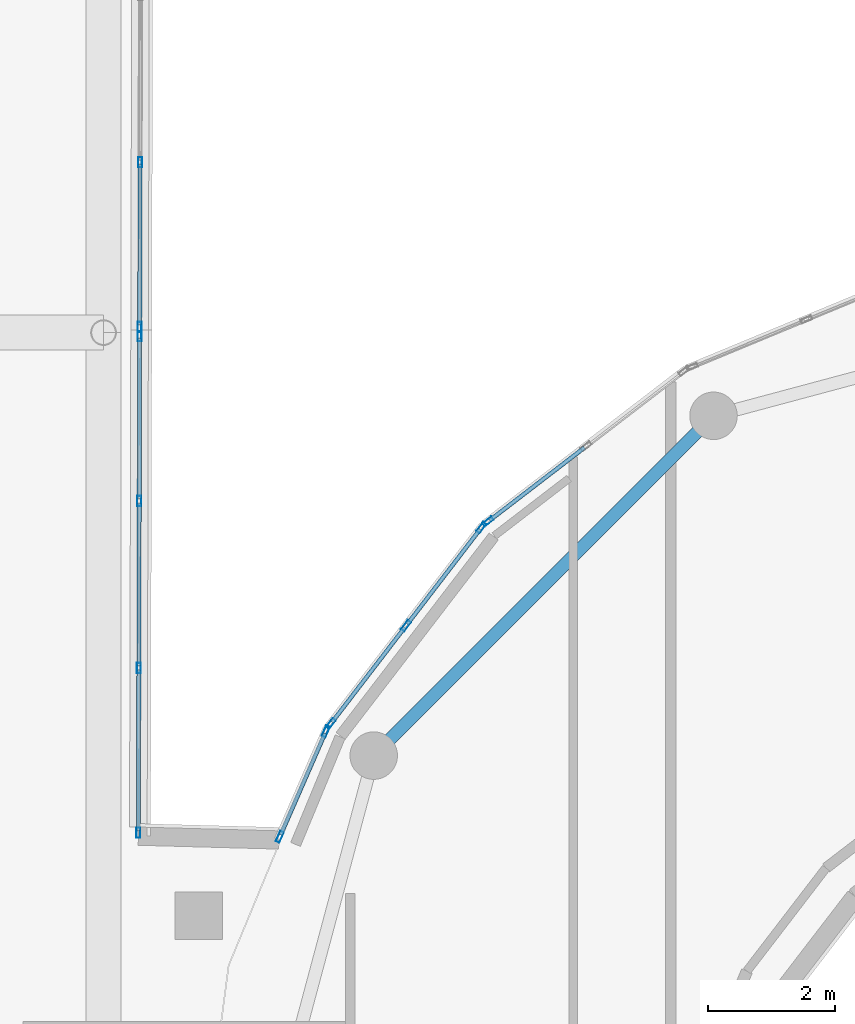
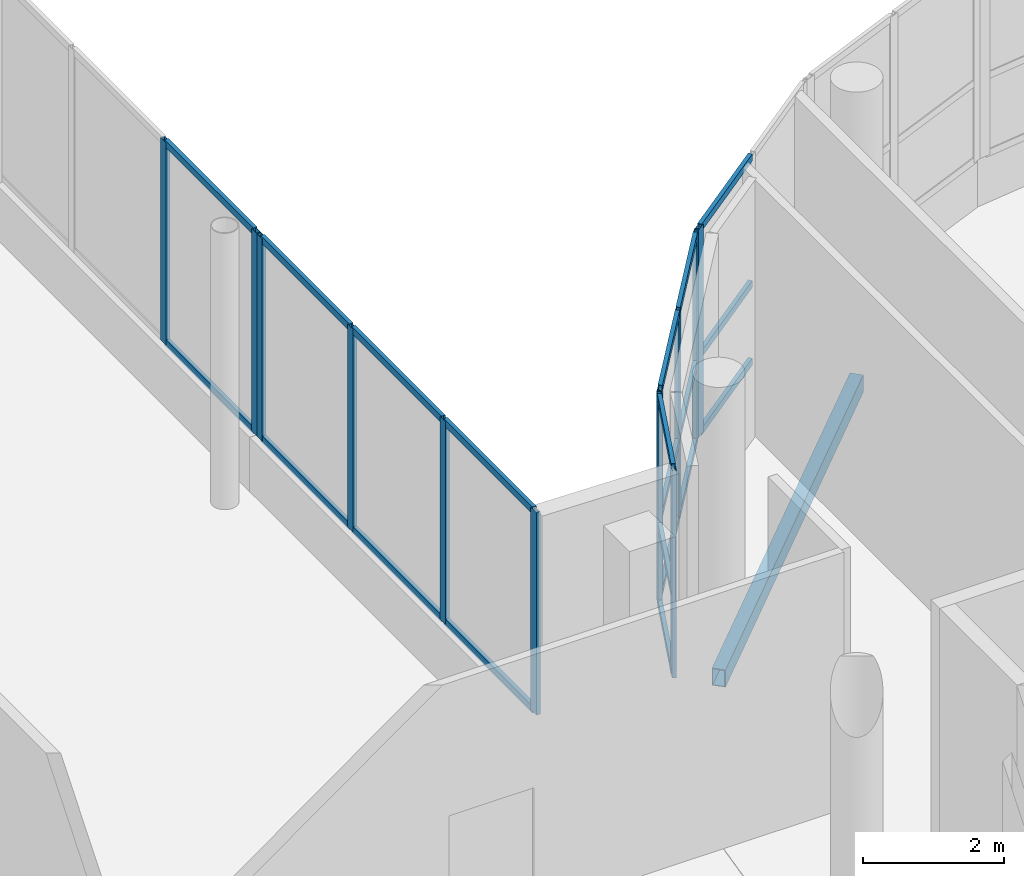
# One storey, part 48 of 155: 32 members, 1 beam, 5 elements without a shape of their own.
"""IFC4 building model written with IfcOpenShell, lengths in metres."""

from ifc_helpers import new_model, si_unit, direction, frame, origin, origin_2d, place, context, subcontext, project, spatial, hollow_rectangle, extrude, material, material_profile, profile_set, type_object, element, aggregate, save


model = new_model("IFC4")

# Units and contexts
model_context = context("Model", 3, precision=1e-05, world=origin(), true_north=direction((0.0, 1.0)))
body_context = subcontext(model_context, "Body", "Model", "MODEL_VIEW")
ifc_project = project(units=[si_unit("LENGTHUNIT", "METRE"), si_unit("AREAUNIT", "SQUARE_METRE"), si_unit("VOLUMEUNIT", "CUBIC_METRE"), si_unit("PLANEANGLEUNIT", "RADIAN"), si_unit("MASSUNIT", "GRAM", prefix="KILO")], contexts=[model_context])

# Site, building, storey
site_placement = place(None, origin())
site = spatial("IfcSite", under=ifc_project, at=site_placement, CompositionType="ELEMENT")
building_placement = place(site_placement, origin())
building = spatial("IfcBuilding", under=site, at=building_placement, Name="Selatvlak General Hospital", CompositionType="ELEMENT")
storey_placement = place(building_placement, frame((0.0, 0.0, 10.199951171875)))
storey = spatial("IfcBuildingStorey", under=building, at=storey_placement, Name="L02", CompositionType="ELEMENT", Elevation=10.199951171875)

# Beam
ifc_material_1 = material(Name="Steel S355", Category="steel")
ifc_material_profile_1 = material_profile(ifc_material_1, hollow_rectangle(XDim=0.199951171875, YDim=0.300048828125, WallThickness=0.011962890625, at=origin_2d()), Name="RHS 300x200x12")
ifc_profile_set_1 = profile_set([ifc_material_profile_1], Name="Steel S355")
beam_type = type_object("IfcBeamType", Name="BM-SP3", PredefinedType="SPANDREL", material=ifc_profile_set_1)
beam_placement = place(storey_placement, frame((90.675048828125, 66.68701171875, -0.5048828125), z_axis=(-0.707106781187, -0.707106781187, 0.0), x_axis=(0.707106781187, -0.707106781187, 0.0)))
element("IfcBeam", 1, at=beam_placement, inside=storey, type_object=beam_type, Name="Beam BMR-L02-1103", PredefinedType="SPANDREL", context=body_context, shape_type="SweptSolid", body=[
    extrude(hollow_rectangle(XDim=0.199951171875, YDim=0.300048828125, WallThickness=0.011962890625, at=origin_2d()), origin(), (0.0, 0.0, 1.0), 7.5830078125),
])

# Curtain wall, members
ifc_material_2 = material(Name="Solar-control Low-E double glazing", Category="glass")
curtain_wall_type_1 = type_object("IfcCurtainWallType", Name="CW-CW-01", PredefinedType="USERDEFINED", material=ifc_material_2)
curtain_wall_1_placement = place(storey_placement, origin())
curtain_wall_1 = element("IfcCurtainWall", 2, at=curtain_wall_1_placement, inside=storey, type_object=curtain_wall_type_1, Name="Glazed facade curtain wall CW-L02-0358", ObjectType="UNITISED CURTAIN WALL", PredefinedType="USERDEFINED")
ifc_material_3 = material(Name="Dark anodised aluminium mullion", Category="aluminium")
ifc_material_profile_2 = material_profile(ifc_material_3, hollow_rectangle(XDim=0.06494140625, YDim=0.159912109375, WallThickness=0.00390625, at=origin_2d()), Name="AL-MUL 65x160x4")
ifc_profile_set_2 = profile_set([ifc_material_profile_2], Name="Dark anodised aluminium mullion")
member_type_1 = type_object("IfcMemberType", Name="CWM-01", PredefinedType="MULLION", material=ifc_profile_set_2)
member_1_placement = place(storey_placement, frame((81.626708984375, 70.688232421875, 0.93994140625), z_axis=(0.0, 0.0, 1.0), x_axis=(0.999996795401, -0.002531637448, 0.0)))
member_1 = element("IfcMember", 3, at=member_1_placement, type_object=member_type_1, Name="CW-01 mullion 3", PredefinedType="MULLION", context=body_context, shape_type="SweptSolid", body=[
    extrude(hollow_rectangle(XDim=0.06494140625, YDim=0.159912109375, WallThickness=0.00390625, at=origin_2d()), origin(), (0.0, 0.0, 1.0), 3.52001953125),
])
member_2_placement = place(storey_placement, frame((81.6201171875, 68.08740234375, 0.93994140625), z_axis=(0.0, 0.0, 1.0), x_axis=(0.999996795401, -0.002531637448, 0.0)))
member_2 = element("IfcMember", 4, at=member_2_placement, type_object=member_type_1, Name="CW-01 mullion 4", PredefinedType="MULLION", context=body_context, shape_type="SweptSolid", body=[
    extrude(hollow_rectangle(XDim=0.06494140625, YDim=0.159912109375, WallThickness=0.00390625, at=origin_2d()), origin(), (0.0, 0.0, 1.0), 3.52001953125),
])

curtain_wall_type_2 = type_object("IfcCurtainWallType", Name="CW-CW-02", PredefinedType="USERDEFINED", material=ifc_material_2)
curtain_wall_2_placement = place(storey_placement, origin())
curtain_wall_2 = element("IfcCurtainWall", 5, at=curtain_wall_2_placement, inside=storey, type_object=curtain_wall_type_2, Name="Glazed facade curtain wall CW-L02-0359", ObjectType="UNITISED CURTAIN WALL", PredefinedType="USERDEFINED")
member_3_placement = place(storey_placement, frame((81.619873046875, 67.9423828125, 0.93994140625), z_axis=(0.0, 0.0, 1.0), x_axis=(0.999996795401, -0.002531637448, 0.0)))
member_3 = element("IfcMember", 6, at=member_3_placement, type_object=member_type_1, Name="CW-02 mullion 1", PredefinedType="MULLION", context=body_context, shape_type="SweptSolid", body=[
    extrude(hollow_rectangle(XDim=0.06494140625, YDim=0.159912109375, WallThickness=0.00390625, at=origin_2d()), origin(), (0.0, 0.0, 1.0), 3.52001953125),
])
member_4_placement = place(storey_placement, frame((81.61328125, 65.341552734375, 0.93994140625), z_axis=(0.0, 0.0, 1.0), x_axis=(0.999996795401, -0.002531637448, 0.0)))
member_4 = element("IfcMember", 7, at=member_4_placement, type_object=member_type_1, Name="CW-02 mullion 2", PredefinedType="MULLION", context=body_context, shape_type="SweptSolid", body=[
    extrude(hollow_rectangle(XDim=0.06494140625, YDim=0.159912109375, WallThickness=0.00390625, at=origin_2d()), origin(), (0.0, 0.0, 1.0), 3.52001953125),
])
member_5_placement = place(storey_placement, frame((81.606689453125, 62.708251953125, 0.93994140625), z_axis=(0.0, 0.0, 1.0), x_axis=(0.999996795401, -0.002531637448, 0.0)))
member_5 = element("IfcMember", 8, at=member_5_placement, type_object=member_type_1, Name="CW-02 mullion 3", PredefinedType="MULLION", context=body_context, shape_type="SweptSolid", body=[
    extrude(hollow_rectangle(XDim=0.06494140625, YDim=0.159912109375, WallThickness=0.00390625, at=origin_2d()), origin(), (0.0, 0.0, 1.0), 3.52001953125),
])
member_6_placement = place(storey_placement, frame((81.60009765625, 60.107421875, 0.93994140625), z_axis=(0.0, 0.0, 1.0), x_axis=(0.999996795401, -0.002531637448, 0.0)))
member_6 = element("IfcMember", 9, at=member_6_placement, type_object=member_type_1, Name="CW-02 mullion 4", PredefinedType="MULLION", context=body_context, shape_type="SweptSolid", body=[
    extrude(hollow_rectangle(XDim=0.06494140625, YDim=0.159912109375, WallThickness=0.00390625, at=origin_2d()), origin(), (0.0, 0.0, 1.0), 3.52001953125),
])

curtain_wall_type_3 = type_object("IfcCurtainWallType", Name="CW-CW-05", PredefinedType="USERDEFINED", material=ifc_material_2)
curtain_wall_3_placement = place(storey_placement, origin())
curtain_wall_3 = element("IfcCurtainWall", 10, at=curtain_wall_3_placement, inside=storey, type_object=curtain_wall_type_3, Name="Glazed facade curtain wall CW-L02-0346", ObjectType="STICK GLAZING WALL", PredefinedType="USERDEFINED")
ifc_material_profile_3 = material_profile(ifc_material_3, hollow_rectangle(XDim=0.06494140625, YDim=0.179931640625, WallThickness=0.00439453125, at=origin_2d()), Name="AL-MUL 65x180x4.5")
ifc_profile_set_3 = profile_set([ifc_material_profile_3], Name="Dark anodised aluminium mullion")
member_type_2 = type_object("IfcMemberType", Name="CWM-02", PredefinedType="MULLION", material=ifc_profile_set_3)
member_7_placement = place(storey_placement, frame((83.8310546875, 60.043701171875, 0.85009765625), z_axis=(0.0, 0.0, 1.0), x_axis=(-0.916340540379, 0.400399817754, 0.0)))
member_7 = element("IfcMember", 11, at=member_7_placement, type_object=member_type_2, Name="CW-05 mullion 1", PredefinedType="MULLION", context=body_context, shape_type="SweptSolid", body=[
    extrude(hollow_rectangle(XDim=0.06494140625, YDim=0.179931640625, WallThickness=0.00439453125, at=origin_2d()), origin(), (0.0, 0.0, 1.0), 3.60986328125),
])
member_8_placement = place(storey_placement, frame((84.556884765625, 61.705322265625, 0.85009765625), z_axis=(0.0, 0.0, 1.0), x_axis=(-0.916340540379, 0.400399817754, 0.0)))
member_8 = element("IfcMember", 12, at=member_8_placement, type_object=member_type_2, Name="CW-05 mullion 2", PredefinedType="MULLION", context=body_context, shape_type="SweptSolid", body=[
    extrude(hollow_rectangle(XDim=0.06494140625, YDim=0.179931640625, WallThickness=0.00439453125, at=origin_2d()), origin(), (0.0, 0.0, 1.0), 3.60986328125),
])

curtain_wall_type_4 = type_object("IfcCurtainWallType", Name="CW-CW-04", PredefinedType="USERDEFINED", material=ifc_material_2)
curtain_wall_4_placement = place(storey_placement, origin())
curtain_wall_4 = element("IfcCurtainWall", 13, at=curtain_wall_4_placement, inside=storey, type_object=curtain_wall_type_4, Name="Glazed facade curtain wall CW-L02-0347", ObjectType="STICK GLAZING WALL", PredefinedType="USERDEFINED")
member_9_placement = place(storey_placement, frame((84.634765625, 61.82666015625, 0.85009765625), z_axis=(0.0, 0.0, 1.0), x_axis=(-0.793232853917, 0.608918417743, 0.0)))
member_9 = element("IfcMember", 14, at=member_9_placement, type_object=member_type_2, Name="CW-04 mullion 1", PredefinedType="MULLION", context=body_context, shape_type="SweptSolid", body=[
    extrude(hollow_rectangle(XDim=0.06494140625, YDim=0.179931640625, WallThickness=0.00439453125, at=origin_2d()), origin(), (0.0, 0.0, 1.0), 3.60986328125),
])
member_10_placement = place(storey_placement, frame((85.822509765625, 63.3740234375, 0.85009765625), z_axis=(0.0, 0.0, 1.0), x_axis=(-0.793232853917, 0.608918417743, 0.0)))
member_10 = element("IfcMember", 15, at=member_10_placement, type_object=member_type_2, Name="CW-04 mullion 2", PredefinedType="MULLION", context=body_context, shape_type="SweptSolid", body=[
    extrude(hollow_rectangle(XDim=0.06494140625, YDim=0.179931640625, WallThickness=0.00439453125, at=origin_2d()), origin(), (0.0, 0.0, 1.0), 3.60986328125),
])
member_11_placement = place(storey_placement, frame((87.01025390625, 64.921142578125, 0.85009765625), z_axis=(0.0, 0.0, 1.0), x_axis=(-0.793232853917, 0.608918417743, 0.0)))
member_11 = element("IfcMember", 16, at=member_11_placement, type_object=member_type_2, Name="CW-04 mullion 3", PredefinedType="MULLION", context=body_context, shape_type="SweptSolid", body=[
    extrude(hollow_rectangle(XDim=0.06494140625, YDim=0.179931640625, WallThickness=0.00439453125, at=origin_2d()), origin(), (0.0, 0.0, 1.0), 3.60986328125),
])

# Curtain wall, member
curtain_wall_5_placement = place(storey_placement, origin())
curtain_wall_5 = element("IfcCurtainWall", 17, at=curtain_wall_5_placement, inside=storey, type_object=curtain_wall_type_3, Name="Glazed facade curtain wall CW-L02-0348", ObjectType="STICK GLAZING WALL", PredefinedType="USERDEFINED")
member_12_placement = place(storey_placement, frame((87.11669921875, 65.017822265625, 0.85009765625), z_axis=(0.0, 0.0, 1.0), x_axis=(-0.608918417743, 0.793232853917, 0.0)))
member_12 = element("IfcMember", 18, at=member_12_placement, type_object=member_type_2, Name="CW-05 mullion 1", PredefinedType="MULLION", context=body_context, shape_type="SweptSolid", body=[
    extrude(hollow_rectangle(XDim=0.06494140625, YDim=0.179931640625, WallThickness=0.00439453125, at=origin_2d()), origin(), (0.0, 0.0, 1.0), 3.60986328125),
])

# Member
ifc_material_profile_4 = material_profile(ifc_material_3, hollow_rectangle(XDim=0.06494140625, YDim=0.1201171875, WallThickness=0.00390625, at=origin_2d()), Name="AL-TRN 65x120x4")
ifc_profile_set_4 = profile_set([ifc_material_profile_4], Name="Dark anodised aluminium mullion")
member_type_3 = type_object("IfcMemberType", Name="CWT-01", PredefinedType="USERDEFINED", material=ifc_profile_set_4)
member_13_placement = place(storey_placement, frame((83.843994140625, 60.073486328125, 0.882568359375), z_axis=(0.400364592427, 0.916355931465, 0.0), x_axis=(-0.916355931465, 0.400364592427, 0.0)))
member_13 = element("IfcMember", 19, at=member_13_placement, type_object=member_type_3, Name="CW-05 transom 1.1", ObjectType="TRANSOM", PredefinedType="USERDEFINED", context=body_context, shape_type="SweptSolid", body=[
    extrude(hollow_rectangle(XDim=0.06494140625, YDim=0.1201171875, WallThickness=0.00390625, at=origin_2d()), origin(), (0.0, 0.0, 1.0), 1.748291015625),
])

member_14_placement = place(storey_placement, frame((83.843994140625, 60.073486328125, 2.22998046875), z_axis=(0.400364592427, 0.916355931465, 0.0), x_axis=(-0.916355931465, 0.400364592427, 0.0)))
member_14 = element("IfcMember", 20, at=member_14_placement, type_object=member_type_3, Name="CW-05 transom 1.2", ObjectType="TRANSOM", PredefinedType="USERDEFINED", context=body_context, shape_type="SweptSolid", body=[
    extrude(hollow_rectangle(XDim=0.06494140625, YDim=0.1201171875, WallThickness=0.00390625, at=origin_2d()), origin(), (0.0, 0.0, 1.0), 1.748291015625),
])

member_15_placement = place(storey_placement, frame((83.843994140625, 60.073486328125, 4.427490234375), z_axis=(0.400364592427, 0.916355931465, 0.0), x_axis=(-0.916355931465, 0.400364592427, 0.0)))
member_15 = element("IfcMember", 21, at=member_15_placement, type_object=member_type_3, Name="CW-05 transom 1.3", ObjectType="TRANSOM", PredefinedType="USERDEFINED", context=body_context, shape_type="SweptSolid", body=[
    extrude(hollow_rectangle(XDim=0.06494140625, YDim=0.1201171875, WallThickness=0.00390625, at=origin_2d()), origin(), (0.0, 0.0, 1.0), 1.748291015625),
])

aggregate(curtain_wall_3, [member_7, member_8, member_13, member_14, member_15])

member_16_placement = place(storey_placement, frame((84.654541015625, 61.8525390625, 0.882568359375), z_axis=(0.608953326487, 0.793206055297, 0.0), x_axis=(-0.793206055297, 0.608953326487, 0.0)))
member_16 = element("IfcMember", 22, at=member_16_placement, type_object=member_type_3, Name="CW-04 transom 1.1", ObjectType="TRANSOM", PredefinedType="USERDEFINED", context=body_context, shape_type="SweptSolid", body=[
    extrude(hollow_rectangle(XDim=0.06494140625, YDim=0.1201171875, WallThickness=0.00390625, at=origin_2d()), origin(), (0.0, 0.0, 1.0), 1.885498046875),
])

member_17_placement = place(storey_placement, frame((84.654541015625, 61.8525390625, 2.22998046875), z_axis=(0.608953326487, 0.793206055297, 0.0), x_axis=(-0.793206055297, 0.608953326487, 0.0)))
member_17 = element("IfcMember", 23, at=member_17_placement, type_object=member_type_3, Name="CW-04 transom 1.2", ObjectType="TRANSOM", PredefinedType="USERDEFINED", context=body_context, shape_type="SweptSolid", body=[
    extrude(hollow_rectangle(XDim=0.06494140625, YDim=0.1201171875, WallThickness=0.00390625, at=origin_2d()), origin(), (0.0, 0.0, 1.0), 1.885498046875),
])

member_18_placement = place(storey_placement, frame((84.654541015625, 61.8525390625, 4.427490234375), z_axis=(0.608953326487, 0.793206055297, 0.0), x_axis=(-0.793206055297, 0.608953326487, 0.0)))
member_18 = element("IfcMember", 24, at=member_18_placement, type_object=member_type_3, Name="CW-04 transom 1.3", ObjectType="TRANSOM", PredefinedType="USERDEFINED", context=body_context, shape_type="SweptSolid", body=[
    extrude(hollow_rectangle(XDim=0.06494140625, YDim=0.1201171875, WallThickness=0.00390625, at=origin_2d()), origin(), (0.0, 0.0, 1.0), 1.885498046875),
])

member_19_placement = place(storey_placement, frame((85.84228515625, 63.399658203125, 0.882568359375), z_axis=(0.608890787968, 0.793254062913, 0.0), x_axis=(-0.793254062913, 0.608890787968, 0.0)))
member_19 = element("IfcMember", 25, at=member_19_placement, type_object=member_type_3, Name="CW-04 transom 2.1", ObjectType="TRANSOM", PredefinedType="USERDEFINED", context=body_context, shape_type="SweptSolid", body=[
    extrude(hollow_rectangle(XDim=0.06494140625, YDim=0.1201171875, WallThickness=0.00390625, at=origin_2d()), origin(), (0.0, 0.0, 1.0), 1.8857421875),
])

member_20_placement = place(storey_placement, frame((85.84228515625, 63.399658203125, 2.22998046875), z_axis=(0.608890787968, 0.793254062913, 0.0), x_axis=(-0.793254062913, 0.608890787968, 0.0)))
member_20 = element("IfcMember", 26, at=member_20_placement, type_object=member_type_3, Name="CW-04 transom 2.2", ObjectType="TRANSOM", PredefinedType="USERDEFINED", context=body_context, shape_type="SweptSolid", body=[
    extrude(hollow_rectangle(XDim=0.06494140625, YDim=0.1201171875, WallThickness=0.00390625, at=origin_2d()), origin(), (0.0, 0.0, 1.0), 1.8857421875),
])

member_21_placement = place(storey_placement, frame((85.84228515625, 63.399658203125, 4.427490234375), z_axis=(0.608890787968, 0.793254062913, 0.0), x_axis=(-0.793254062913, 0.608890787968, 0.0)))
member_21 = element("IfcMember", 27, at=member_21_placement, type_object=member_type_3, Name="CW-04 transom 2.3", ObjectType="TRANSOM", PredefinedType="USERDEFINED", context=body_context, shape_type="SweptSolid", body=[
    extrude(hollow_rectangle(XDim=0.06494140625, YDim=0.1201171875, WallThickness=0.00390625, at=origin_2d()), origin(), (0.0, 0.0, 1.0), 1.8857421875),
])

aggregate(curtain_wall_4, [member_9, member_10, member_11, member_16, member_17, member_18, member_19, member_20, member_21])

member_22_placement = place(storey_placement, frame((87.142578125, 65.03759765625, 0.882568359375), z_axis=(0.793206055297, 0.608953326487, 0.0), x_axis=(-0.608953326487, 0.793206055297, 0.0)))
member_22 = element("IfcMember", 28, at=member_22_placement, type_object=member_type_3, Name="CW-05 transom 1.1", ObjectType="TRANSOM", PredefinedType="USERDEFINED", context=body_context, shape_type="SweptSolid", body=[
    extrude(hollow_rectangle(XDim=0.06494140625, YDim=0.1201171875, WallThickness=0.00390625, at=origin_2d()), origin(), (0.0, 0.0, 1.0), 1.885498046875),
])

member_23_placement = place(storey_placement, frame((87.142578125, 65.03759765625, 2.22998046875), z_axis=(0.793206055297, 0.608953326487, 0.0), x_axis=(-0.608953326487, 0.793206055297, 0.0)))
member_23 = element("IfcMember", 29, at=member_23_placement, type_object=member_type_3, Name="CW-05 transom 1.2", ObjectType="TRANSOM", PredefinedType="USERDEFINED", context=body_context, shape_type="SweptSolid", body=[
    extrude(hollow_rectangle(XDim=0.06494140625, YDim=0.1201171875, WallThickness=0.00390625, at=origin_2d()), origin(), (0.0, 0.0, 1.0), 1.885498046875),
])

member_24_placement = place(storey_placement, frame((87.142578125, 65.03759765625, 4.427490234375), z_axis=(0.793206055297, 0.608953326487, 0.0), x_axis=(-0.608953326487, 0.793206055297, 0.0)))
member_24 = element("IfcMember", 30, at=member_24_placement, type_object=member_type_3, Name="CW-05 transom 1.3", ObjectType="TRANSOM", PredefinedType="USERDEFINED", context=body_context, shape_type="SweptSolid", body=[
    extrude(hollow_rectangle(XDim=0.06494140625, YDim=0.1201171875, WallThickness=0.00390625, at=origin_2d()), origin(), (0.0, 0.0, 1.0), 1.885498046875),
])

aggregate(curtain_wall_5, [member_12, member_22, member_23, member_24])

member_25_placement = place(storey_placement, frame((81.62646484375, 70.65576171875, 0.97265625), z_axis=(-0.002503362077, -0.999996866584, 0.0), x_axis=(0.999996866584, -0.002503362077, 0.0)))
member_25 = element("IfcMember", 31, at=member_25_placement, type_object=member_type_3, Name="CW-01 transom 3.1", ObjectType="TRANSOM", PredefinedType="USERDEFINED", context=body_context, shape_type="SweptSolid", body=[
    extrude(hollow_rectangle(XDim=0.06494140625, YDim=0.1201171875, WallThickness=0.00390625, at=origin_2d()), origin(), (0.0, 0.0, 1.0), 2.53564453125),
])

member_26_placement = place(storey_placement, frame((81.62646484375, 70.65576171875, 4.427490234375), z_axis=(-0.002503362077, -0.999996866584, 0.0), x_axis=(0.999996866584, -0.002503362077, 0.0)))
member_26 = element("IfcMember", 32, at=member_26_placement, type_object=member_type_3, Name="CW-01 transom 3.2", ObjectType="TRANSOM", PredefinedType="USERDEFINED", context=body_context, shape_type="SweptSolid", body=[
    extrude(hollow_rectangle(XDim=0.06494140625, YDim=0.1201171875, WallThickness=0.00390625, at=origin_2d()), origin(), (0.0, 0.0, 1.0), 2.53564453125),
])

aggregate(curtain_wall_1, [member_1, member_2, member_25, member_26])

member_27_placement = place(storey_placement, frame((81.619873046875, 67.909912109375, 0.97265625), z_axis=(-0.002503362077, -0.999996866584, 0.0), x_axis=(0.999996866584, -0.002503362077, 0.0)))
member_27 = element("IfcMember", 33, at=member_27_placement, type_object=member_type_3, Name="CW-02 transom 1.1", ObjectType="TRANSOM", PredefinedType="USERDEFINED", context=body_context, shape_type="SweptSolid", body=[
    extrude(hollow_rectangle(XDim=0.06494140625, YDim=0.1201171875, WallThickness=0.00390625, at=origin_2d()), origin(), (0.0, 0.0, 1.0), 2.53564453125),
])

member_28_placement = place(storey_placement, frame((81.619873046875, 67.909912109375, 4.427490234375), z_axis=(-0.002503362077, -0.999996866584, 0.0), x_axis=(0.999996866584, -0.002503362077, 0.0)))
member_28 = element("IfcMember", 34, at=member_28_placement, type_object=member_type_3, Name="CW-02 transom 1.2", ObjectType="TRANSOM", PredefinedType="USERDEFINED", context=body_context, shape_type="SweptSolid", body=[
    extrude(hollow_rectangle(XDim=0.06494140625, YDim=0.1201171875, WallThickness=0.00390625, at=origin_2d()), origin(), (0.0, 0.0, 1.0), 2.53564453125),
])

member_29_placement = place(storey_placement, frame((81.61328125, 65.30908203125, 0.97265625), z_axis=(-0.002566531471, -0.999996706453, 0.0), x_axis=(0.999996706453, -0.002566531471, 0.0)))
member_29 = element("IfcMember", 35, at=member_29_placement, type_object=member_type_3, Name="CW-02 transom 2.1", ObjectType="TRANSOM", PredefinedType="USERDEFINED", context=body_context, shape_type="SweptSolid", body=[
    extrude(hollow_rectangle(XDim=0.06494140625, YDim=0.1201171875, WallThickness=0.00390625, at=origin_2d()), origin(), (0.0, 0.0, 1.0), 2.568359375),
])

member_30_placement = place(storey_placement, frame((81.61328125, 65.30908203125, 4.427490234375), z_axis=(-0.002566531471, -0.999996706453, 0.0), x_axis=(0.999996706453, -0.002566531471, 0.0)))
member_30 = element("IfcMember", 36, at=member_30_placement, type_object=member_type_3, Name="CW-02 transom 2.2", ObjectType="TRANSOM", PredefinedType="USERDEFINED", context=body_context, shape_type="SweptSolid", body=[
    extrude(hollow_rectangle(XDim=0.06494140625, YDim=0.1201171875, WallThickness=0.00390625, at=origin_2d()), origin(), (0.0, 0.0, 1.0), 2.568359375),
])

member_31_placement = place(storey_placement, frame((81.606689453125, 62.67578125, 0.97265625), z_axis=(-0.002599394318, -0.999996621569, 0.0), x_axis=(0.999996621569, -0.002599394318, 0.0)))
member_31 = element("IfcMember", 37, at=member_31_placement, type_object=member_type_3, Name="CW-02 transom 3.1", ObjectType="TRANSOM", PredefinedType="USERDEFINED", context=body_context, shape_type="SweptSolid", body=[
    extrude(hollow_rectangle(XDim=0.06494140625, YDim=0.1201171875, WallThickness=0.00390625, at=origin_2d()), origin(), (0.0, 0.0, 1.0), 2.535888671875),
])

member_32_placement = place(storey_placement, frame((81.606689453125, 62.67578125, 4.427490234375), z_axis=(-0.002599394318, -0.999996621569, 0.0), x_axis=(0.999996621569, -0.002599394318, 0.0)))
member_32 = element("IfcMember", 38, at=member_32_placement, type_object=member_type_3, Name="CW-02 transom 3.2", ObjectType="TRANSOM", PredefinedType="USERDEFINED", context=body_context, shape_type="SweptSolid", body=[
    extrude(hollow_rectangle(XDim=0.06494140625, YDim=0.1201171875, WallThickness=0.00390625, at=origin_2d()), origin(), (0.0, 0.0, 1.0), 2.535888671875),
])

aggregate(curtain_wall_2, [member_3, member_4, member_5, member_6, member_27, member_28, member_29, member_30, member_31, member_32])

save(model, "model.ifc")
